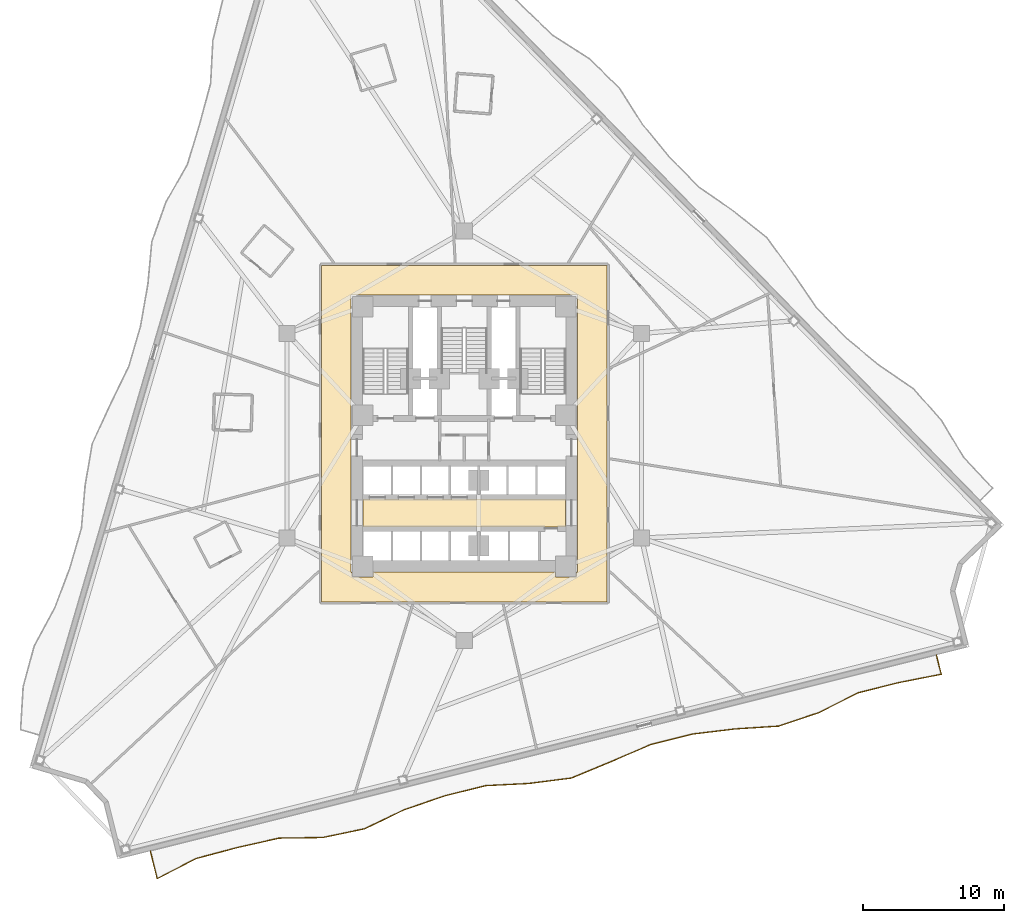
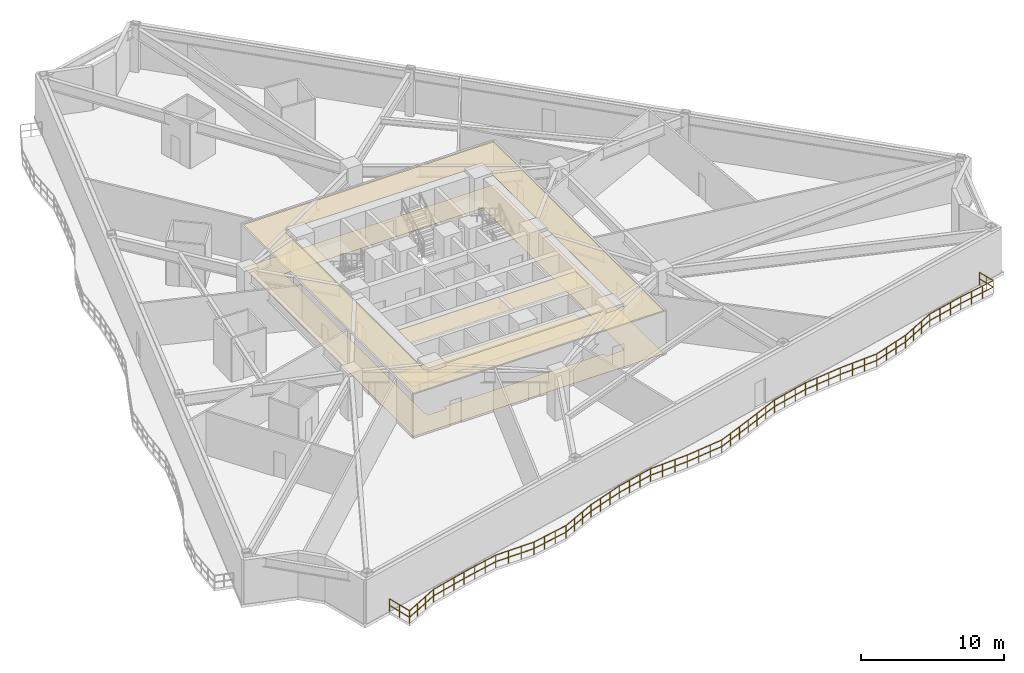
# One storey, part 7 of 10: 4 coverings, 1 railing.
"""IFC4 building model written with IfcOpenShell, lengths in metres."""

from ifc_helpers import new_model, si_unit, direction, frame, origin, origin_2d, place, context, subcontext, project, spatial, polyline, rectangle, outline, extrude, material, layer, layer_set, type_object, element, save


model = new_model("IFC4")

# Units and contexts
model_context = context("Model", 3, precision=1e-05, world=origin(), true_north=direction((0.0, 1.0)))
body_context = subcontext(model_context, "Body", "Model", "MODEL_VIEW")
ifc_project = project(units=[si_unit("LENGTHUNIT", "METRE"), si_unit("AREAUNIT", "SQUARE_METRE"), si_unit("VOLUMEUNIT", "CUBIC_METRE"), si_unit("PLANEANGLEUNIT", "RADIAN"), si_unit("MASSUNIT", "GRAM", prefix="KILO")], contexts=[model_context])

# Site, building, storey
site_placement = place(None, origin())
site = spatial("IfcSite", under=ifc_project, at=site_placement, CompositionType="ELEMENT")
building_placement = place(site_placement, origin())
building = spatial("IfcBuilding", under=site, at=building_placement, Name="Apsidion Concourse Tower", CompositionType="ELEMENT")
storey_placement = place(building_placement, frame((0.0, 0.0, 107.0)))
storey = spatial("IfcBuildingStorey", under=building, at=storey_placement, Name="L24", CompositionType="ELEMENT", Elevation=107.0)

# Coverings
ifc_material_1 = material(Name="Acoustic mineral fibre ceiling")
ifc_layer_1 = layer(ifc_material_1, 0.0400390625)
ifc_layer_set_1 = layer_set([ifc_layer_1], Name="Acoustic mineral fibre ceiling")
covering_type_1 = type_object("IfcCoveringType", Name="COV-CEIL-40", PredefinedType="CEILING", material=ifc_layer_set_1)
covering_1_placement = place(storey_placement, frame((0.0, 0.0, 3.64990234375)))
element("IfcCovering", 1, at=covering_1_placement, inside=storey, type_object=covering_type_1, Name="L24 Acoustic Ceiling Grid 1", PredefinedType="CEILING", context=body_context, shape_type="SweptSolid", body=[
    extrude(outline(polyline([(-7.179931640625, -6.449951171875), (-7.179931640625, -4.47998046875), (7.179931640625, -4.47998046875), (7.179931640625, -6.449951171875), (-7.179931640625, -6.449951171875)])), origin(), (0.0, 0.0, 1.0), 0.0400390625),
])
covering_2_placement = place(storey_placement, frame((0.0, 0.0, 3.64990234375)))
element("IfcCovering", 2, at=covering_2_placement, inside=storey, type_object=covering_type_1, Name="L24 Acoustic Ceiling Grid 2", PredefinedType="CEILING", context=body_context, shape_type="SweptSolid", body=[
    extrude(outline(polyline([(10.1201171875, 12.070068359375), (10.1201171875, -11.77001953125), (-10.1201171875, -11.77001953125), (-10.1201171875, 12.070068359375), (10.1201171875, 12.070068359375)]), holes=[polyline([(-8.02001953125, -9.669921875), (-7.945068359375, -9.669921875), (-7.945068359375, -9.97509765625), (-7.94482421875, -9.97705078125), (-7.944580078125, -9.97900390625), (-7.944091796875, -9.980712890625), (-7.943603515625, -9.982666015625), (-7.942626953125, -9.984375), (-7.941650390625, -9.986083984375), (-7.9404296875, -9.98779296875), (-7.939208984375, -9.989013671875), (-7.937744140625, -9.990478515625), (-7.93603515625, -9.99169921875), (-7.934326171875, -9.99267578125), (-7.9326171875, -9.993408203125), (-7.930908203125, -9.994140625), (-7.928955078125, -9.99462890625), (-7.927001953125, -9.994873046875), (-7.925048828125, -9.9951171875), (-6.47509765625, -9.9951171875), (-6.472900390625, -9.994873046875), (-6.47119140625, -9.99462890625), (-6.46923828125, -9.994140625), (-6.46728515625, -9.993408203125), (-6.465576171875, -9.99267578125), (-6.4638671875, -9.99169921875), (-6.46240234375, -9.990478515625), (-6.4609375, -9.989013671875), (-6.45947265625, -9.98779296875), (-6.45849609375, -9.986083984375), (-6.45751953125, -9.984375), (-6.45654296875, -9.982666015625), (-6.455810546875, -9.980712890625), (-6.455322265625, -9.97900390625), (-6.455078125, -9.97705078125), (-6.455078125, -9.97509765625), (-6.455078125, -9.669921875), (6.455078125, -9.669921875), (6.455078125, -9.97509765625), (6.455078125, -9.97705078125), (6.455322265625, -9.97900390625), (6.455810546875, -9.980712890625), (6.45654296875, -9.982666015625), (6.45751953125, -9.984375), (6.45849609375, -9.986083984375), (6.45947265625, -9.98779296875), (6.4609375, -9.989013671875), (6.46240234375, -9.990478515625), (6.4638671875, -9.99169921875), (6.465576171875, -9.99267578125), (6.46728515625, -9.993408203125), (6.46923828125, -9.994140625), (6.47119140625, -9.99462890625), (6.472900390625, -9.994873046875), (6.47509765625, -9.9951171875), (7.925048828125, -9.9951171875), (7.927001953125, -9.994873046875), (7.928955078125, -9.99462890625), (7.930908203125, -9.994140625), (7.9326171875, -9.993408203125), (7.934326171875, -9.99267578125), (7.93603515625, -9.99169921875), (7.937744140625, -9.990478515625), (7.939208984375, -9.989013671875), (7.9404296875, -9.98779296875), (7.941650390625, -9.986083984375), (7.942626953125, -9.984375), (7.943603515625, -9.982666015625), (7.944091796875, -9.980712890625), (7.944580078125, -9.97900390625), (7.94482421875, -9.97705078125), (7.945068359375, -9.97509765625), (7.945068359375, -9.669921875), (8.02001953125, -9.669921875), (8.02001953125, 9.969970703125), (-8.02001953125, 9.969970703125), (-8.02001953125, -9.669921875)])]), origin(), (0.0, 0.0, 1.0), 0.0400390625),
])
ifc_material_2 = material(Name="Honed travertine floor finish", Category="masonry")
ifc_layer_2 = layer(ifc_material_2, 0.02001953125)
ifc_layer_set_2 = layer_set([ifc_layer_2], Name="Honed travertine floor finish")
covering_type_2 = type_object("IfcCoveringType", Name="COV-FLOR-20", PredefinedType="FLOORING", material=ifc_layer_set_2)
covering_3_placement = place(storey_placement, origin())
element("IfcCovering", 3, at=covering_3_placement, inside=storey, type_object=covering_type_2, Name="L24 Honed Travertine Floor Finish 1", PredefinedType="FLOORING", context=body_context, shape_type="SweptSolid", body=[
    extrude(outline(polyline([(-7.179931640625, -6.449951171875), (-7.179931640625, -4.47998046875), (7.179931640625, -4.47998046875), (7.179931640625, -6.449951171875), (-7.179931640625, -6.449951171875)])), origin(), (0.0, 0.0, 1.0), 0.02001953125),
])
covering_4_placement = place(storey_placement, origin())
element("IfcCovering", 4, at=covering_4_placement, inside=storey, type_object=covering_type_2, Name="L24 Honed Travertine Floor Finish 2", PredefinedType="FLOORING", context=body_context, shape_type="SweptSolid", body=[
    extrude(outline(polyline([(10.1201171875, 12.070068359375), (10.1201171875, -11.77001953125), (-10.1201171875, -11.77001953125), (-10.1201171875, 12.070068359375), (10.1201171875, 12.070068359375)]), holes=[polyline([(-8.02001953125, -9.669921875), (-7.945068359375, -9.669921875), (-7.945068359375, -9.97509765625), (-7.94482421875, -9.97705078125), (-7.944580078125, -9.97900390625), (-7.944091796875, -9.980712890625), (-7.943603515625, -9.982666015625), (-7.942626953125, -9.984375), (-7.941650390625, -9.986083984375), (-7.9404296875, -9.98779296875), (-7.939208984375, -9.989013671875), (-7.937744140625, -9.990478515625), (-7.93603515625, -9.99169921875), (-7.934326171875, -9.99267578125), (-7.9326171875, -9.993408203125), (-7.930908203125, -9.994140625), (-7.928955078125, -9.99462890625), (-7.927001953125, -9.994873046875), (-7.925048828125, -9.9951171875), (-6.47509765625, -9.9951171875), (-6.472900390625, -9.994873046875), (-6.47119140625, -9.99462890625), (-6.46923828125, -9.994140625), (-6.46728515625, -9.993408203125), (-6.465576171875, -9.99267578125), (-6.4638671875, -9.99169921875), (-6.46240234375, -9.990478515625), (-6.4609375, -9.989013671875), (-6.45947265625, -9.98779296875), (-6.45849609375, -9.986083984375), (-6.45751953125, -9.984375), (-6.45654296875, -9.982666015625), (-6.455810546875, -9.980712890625), (-6.455322265625, -9.97900390625), (-6.455078125, -9.97705078125), (-6.455078125, -9.97509765625), (-6.455078125, -9.669921875), (6.455078125, -9.669921875), (6.455078125, -9.97509765625), (6.455078125, -9.97705078125), (6.455322265625, -9.97900390625), (6.455810546875, -9.980712890625), (6.45654296875, -9.982666015625), (6.45751953125, -9.984375), (6.45849609375, -9.986083984375), (6.45947265625, -9.98779296875), (6.4609375, -9.989013671875), (6.46240234375, -9.990478515625), (6.4638671875, -9.99169921875), (6.465576171875, -9.99267578125), (6.46728515625, -9.993408203125), (6.46923828125, -9.994140625), (6.47119140625, -9.99462890625), (6.472900390625, -9.994873046875), (6.47509765625, -9.9951171875), (7.925048828125, -9.9951171875), (7.927001953125, -9.994873046875), (7.928955078125, -9.99462890625), (7.930908203125, -9.994140625), (7.9326171875, -9.993408203125), (7.934326171875, -9.99267578125), (7.93603515625, -9.99169921875), (7.937744140625, -9.990478515625), (7.939208984375, -9.989013671875), (7.9404296875, -9.98779296875), (7.941650390625, -9.986083984375), (7.942626953125, -9.984375), (7.943603515625, -9.982666015625), (7.944091796875, -9.980712890625), (7.944580078125, -9.97900390625), (7.94482421875, -9.97705078125), (7.945068359375, -9.97509765625), (7.945068359375, -9.669921875), (8.02001953125, -9.669921875), (8.02001953125, 9.969970703125), (-8.02001953125, 9.969970703125), (-8.02001953125, -9.669921875)])]), origin(), (0.0, 0.0, 1.0), 0.02001953125),
])

# Railing
ifc_material_3 = material(Name="Brushed stainless steel 316", Category="steel")
railing_type = type_object("IfcRailingType", Name="RL-BAL-1120", PredefinedType="BALUSTRADE", material=ifc_material_3)
railing_placement = place(storey_placement, frame((33.4599609375, -15.544677734375, 0.0)))
element("IfcRailing", 5, at=railing_placement, inside=storey, type_object=railing_type, Name="L24 Face 2 Rippling Balcony Balustrade", PredefinedType="BALUSTRADE", context=body_context, shape_type="SweptSolid", body=[
    extrude(rectangle(XDim=0.048095703125, YDim=0.048095703125, at=origin_2d()), frame((0.0, 0.0, 1.09619140625), z_axis=(0.241920420099, -0.970296094158, 0.0), x_axis=(0.970296094158, 0.241920420099, 0.0)), (0.0, 0.0, 1.0), 1.400634765625),
    extrude(rectangle(XDim=0.048095703125, YDim=0.048095703125, at=origin_2d()), frame((0.0, 0.0, 0.5361328125), z_axis=(0.241920420099, -0.970296094158, 0.0), x_axis=(0.970296094158, 0.241920420099, 0.0)), (0.0, 0.0, 1.0), 1.400634765625),
    extrude(rectangle(XDim=0.048095703125, YDim=0.048095703125, at=origin_2d()), frame((0.3388671875, -1.359130859375, 1.09619140625), z_axis=(-0.981147577563, -0.193260008904, 0.0), x_axis=(0.193260008904, -0.981147577563, 0.0)), (0.0, 0.0, 1.0), 3.025634765625),
    extrude(rectangle(XDim=0.048095703125, YDim=0.048095703125, at=origin_2d()), frame((0.3388671875, -1.359130859375, 0.5361328125), z_axis=(-0.981147577563, -0.193260008904, 0.0), x_axis=(0.193260008904, -0.981147577563, 0.0)), (0.0, 0.0, 1.0), 3.025634765625),
    extrude(rectangle(XDim=0.048095703125, YDim=0.048095703125, at=origin_2d()), frame((-2.629638671875, -1.94384765625, 1.09619140625), z_axis=(-0.970294411014, -0.241927170767, 0.0), x_axis=(0.241927170767, -0.970294411014, 0.0)), (0.0, 0.0, 1.0), 3.021484375),
    extrude(rectangle(XDim=0.048095703125, YDim=0.048095703125, at=origin_2d()), frame((-2.629638671875, -1.94384765625, 0.5361328125), z_axis=(-0.970294411014, -0.241927170767, 0.0), x_axis=(0.241927170767, -0.970294411014, 0.0)), (0.0, 0.0, 1.0), 3.021484375),
    extrude(rectangle(XDim=0.048095703125, YDim=0.048095703125, at=origin_2d()), frame((-5.561279296875, -2.6748046875, 1.09619140625), z_axis=(-0.891637913198, -0.452749192985, 0.0), x_axis=(0.452749192985, -0.891637913198, 0.0)), (0.0, 0.0, 1.0), 3.10009765625),
    extrude(rectangle(XDim=0.048095703125, YDim=0.048095703125, at=origin_2d()), frame((-5.561279296875, -2.6748046875, 0.5361328125), z_axis=(-0.891637913198, -0.452749192985, 0.0), x_axis=(0.452749192985, -0.891637913198, 0.0)), (0.0, 0.0, 1.0), 3.10009765625),
    extrude(rectangle(XDim=0.048095703125, YDim=0.048095703125, at=origin_2d()), frame((-8.325439453125, -4.078369140625, 1.09619140625), z_axis=(-0.948707460015, -0.316155270891, 0.0), x_axis=(0.316155270891, -0.948707460015, 0.0)), (0.0, 0.0, 1.0), 3.031005859375),
    extrude(rectangle(XDim=0.048095703125, YDim=0.048095703125, at=origin_2d()), frame((-8.325439453125, -4.078369140625, 0.5361328125), z_axis=(-0.948707460015, -0.316155270891, 0.0), x_axis=(0.316155270891, -0.948707460015, 0.0)), (0.0, 0.0, 1.0), 3.031005859375),
    extrude(rectangle(XDim=0.048095703125, YDim=0.048095703125, at=origin_2d()), frame((-11.200927734375, -5.03662109375, 1.09619140625), z_axis=(-0.997940274151, -0.064149896546, 0.0), x_axis=(0.064149896546, -0.997940274151, 0.0)), (0.0, 0.0, 1.0), 3.0712890625),
    extrude(rectangle(XDim=0.048095703125, YDim=0.048095703125, at=origin_2d()), frame((-11.200927734375, -5.03662109375, 0.5361328125), z_axis=(-0.997940274151, -0.064149896546, 0.0), x_axis=(0.064149896546, -0.997940274151, 0.0)), (0.0, 0.0, 1.0), 3.0712890625),
    extrude(rectangle(XDim=0.048095703125, YDim=0.048095703125, at=origin_2d()), frame((-14.265869140625, -5.233642578125, 1.09619140625), z_axis=(-0.992789691675, -0.11986921249, 0.0), x_axis=(0.11986921249, -0.992789691675, 0.0)), (0.0, 0.0, 1.0), 3.044921875),
    extrude(rectangle(XDim=0.048095703125, YDim=0.048095703125, at=origin_2d()), frame((-14.265869140625, -5.233642578125, 0.5361328125), z_axis=(-0.992789691675, -0.11986921249, 0.0), x_axis=(0.11986921249, -0.992789691675, 0.0)), (0.0, 0.0, 1.0), 3.044921875),
    extrude(rectangle(XDim=0.048095703125, YDim=0.048095703125, at=origin_2d()), frame((-17.288818359375, -5.5986328125, 1.09619140625), z_axis=(-0.970280172108, -0.241984271418, 0.0), x_axis=(0.241984271418, -0.970280172108, 0.0)), (0.0, 0.0, 1.0), 3.021728515625),
    extrude(rectangle(XDim=0.048095703125, YDim=0.048095703125, at=origin_2d()), frame((-17.288818359375, -5.5986328125, 0.5361328125), z_axis=(-0.970280172108, -0.241984271418, 0.0), x_axis=(0.241984271418, -0.970280172108, 0.0)), (0.0, 0.0, 1.0), 3.021728515625),
    extrude(rectangle(XDim=0.048095703125, YDim=0.048095703125, at=origin_2d()), frame((-20.220703125, -6.329833984375, 1.09619140625), z_axis=(-0.918856040467, -0.394592925554, 0.0), x_axis=(0.394592925554, -0.918856040467, 0.0)), (0.0, 0.0, 1.0), 3.0615234375),
    extrude(rectangle(XDim=0.048095703125, YDim=0.048095703125, at=origin_2d()), frame((-20.220703125, -6.329833984375, 0.5361328125), z_axis=(-0.918856040467, -0.394592925554, 0.0), x_axis=(0.394592925554, -0.918856040467, 0.0)), (0.0, 0.0, 1.0), 3.0615234375),
    extrude(rectangle(XDim=0.048095703125, YDim=0.048095703125, at=origin_2d()), frame((-23.03369140625, -7.537841796875, 1.09619140625), z_axis=(-0.923343804284, -0.383974242744, 0.0), x_axis=(0.383974242744, -0.923343804284, 0.0)), (0.0, 0.0, 1.0), 3.0556640625),
    extrude(rectangle(XDim=0.048095703125, YDim=0.048095703125, at=origin_2d()), frame((-23.03369140625, -7.537841796875, 0.5361328125), z_axis=(-0.923343804284, -0.383974242744, 0.0), x_axis=(0.383974242744, -0.923343804284, 0.0)), (0.0, 0.0, 1.0), 3.0556640625),
    extrude(rectangle(XDim=0.048095703125, YDim=0.048095703125, at=origin_2d()), frame((-25.855224609375, -8.711181640625, 1.09619140625), z_axis=(-0.991846067523, -0.127441666415, 0.0), x_axis=(0.127441666415, -0.991846067523, 0.0)), (0.0, 0.0, 1.0), 3.042236328125),
    extrude(rectangle(XDim=0.048095703125, YDim=0.048095703125, at=origin_2d()), frame((-25.855224609375, -8.711181640625, 0.5361328125), z_axis=(-0.991846067523, -0.127441666415, 0.0), x_axis=(0.127441666415, -0.991846067523, 0.0)), (0.0, 0.0, 1.0), 3.042236328125),
    extrude(rectangle(XDim=0.048095703125, YDim=0.048095703125, at=origin_2d()), frame((-28.87255859375, -9.098876953125, 1.09619140625), z_axis=(-0.998736074922, -0.050261840887, 0.0), x_axis=(0.050261840887, -0.998736074922, 0.0)), (0.0, 0.0, 1.0), 3.07958984375),
    extrude(rectangle(XDim=0.048095703125, YDim=0.048095703125, at=origin_2d()), frame((-28.87255859375, -9.098876953125, 0.5361328125), z_axis=(-0.998736074922, -0.050261840887, 0.0), x_axis=(0.050261840887, -0.998736074922, 0.0)), (0.0, 0.0, 1.0), 3.07958984375),
    extrude(rectangle(XDim=0.048095703125, YDim=0.048095703125, at=origin_2d()), frame((-31.9482421875, -9.253662109375, 1.09619140625), z_axis=(-0.970299139815, -0.241908204231, 0.0), x_axis=(0.241908204231, -0.970299139815, 0.0)), (0.0, 0.0, 1.0), 3.021728515625),
    extrude(rectangle(XDim=0.048095703125, YDim=0.048095703125, at=origin_2d()), frame((-31.9482421875, -9.253662109375, 0.5361328125), z_axis=(-0.970299139815, -0.241908204231, 0.0), x_axis=(0.241908204231, -0.970299139815, 0.0)), (0.0, 0.0, 1.0), 3.021728515625),
    extrude(rectangle(XDim=0.048095703125, YDim=0.048095703125, at=origin_2d()), frame((-34.880126953125, -9.984619140625, 1.09619140625), z_axis=(-0.945240326419, -0.326375129737, 0.0), x_axis=(0.326375129737, -0.945240326419, 0.0)), (0.0, 0.0, 1.0), 3.033203125),
    extrude(rectangle(XDim=0.048095703125, YDim=0.048095703125, at=origin_2d()), frame((-34.880126953125, -9.984619140625, 0.5361328125), z_axis=(-0.945240326419, -0.326375129737, 0.0), x_axis=(0.326375129737, -0.945240326419, 0.0)), (0.0, 0.0, 1.0), 3.033203125),
    extrude(rectangle(XDim=0.048095703125, YDim=0.048095703125, at=origin_2d()), frame((-37.747314453125, -10.974609375, 1.09619140625), z_axis=(-0.901497123697, -0.432785092126, 0.0), x_axis=(0.432785092126, -0.901497123697, 0.0)), (0.0, 0.0, 1.0), 3.085205078125),
    extrude(rectangle(XDim=0.048095703125, YDim=0.048095703125, at=origin_2d()), frame((-37.747314453125, -10.974609375, 0.5361328125), z_axis=(-0.901497123697, -0.432785092126, 0.0), x_axis=(0.432785092126, -0.901497123697, 0.0)), (0.0, 0.0, 1.0), 3.085205078125),
    extrude(rectangle(XDim=0.048095703125, YDim=0.048095703125, at=origin_2d()), frame((-40.528564453125, -12.309814453125, 1.09619140625), z_axis=(-0.978764262869, -0.204989067345, 0.0), x_axis=(0.204989067345, -0.978764262869, 0.0)), (0.0, 0.0, 1.0), 3.02392578125),
    extrude(rectangle(XDim=0.048095703125, YDim=0.048095703125, at=origin_2d()), frame((-40.528564453125, -12.309814453125, 0.5361328125), z_axis=(-0.978764262869, -0.204989067345, 0.0), x_axis=(0.204989067345, -0.978764262869, 0.0)), (0.0, 0.0, 1.0), 3.02392578125),
    extrude(rectangle(XDim=0.048095703125, YDim=0.048095703125, at=origin_2d()), frame((-43.48828125, -12.9296875, 1.09619140625), z_axis=(-0.999900859286, -0.014080894801, 0.0), x_axis=(0.014080894801, -0.999900859286, 0.0)), (0.0, 0.0, 1.0), 3.103515625),
    extrude(rectangle(XDim=0.048095703125, YDim=0.048095703125, at=origin_2d()), frame((-43.48828125, -12.9296875, 0.5361328125), z_axis=(-0.999900859286, -0.014080894801, 0.0), x_axis=(0.014080894801, -0.999900859286, 0.0)), (0.0, 0.0, 1.0), 3.103515625),
    extrude(rectangle(XDim=0.048095703125, YDim=0.048095703125, at=origin_2d()), frame((-46.591552734375, -12.973388671875, 1.09619140625), z_axis=(-0.975399555875, -0.220444338549, 0.0), x_axis=(0.220444338549, -0.975399555875, 0.0)), (0.0, 0.0, 1.0), 3.0224609375),
    extrude(rectangle(XDim=0.048095703125, YDim=0.048095703125, at=origin_2d()), frame((-46.591552734375, -12.973388671875, 0.5361328125), z_axis=(-0.975399555875, -0.220444338549, 0.0), x_axis=(0.220444338549, -0.975399555875, 0.0)), (0.0, 0.0, 1.0), 3.0224609375),
    extrude(rectangle(XDim=0.048095703125, YDim=0.048095703125, at=origin_2d()), frame((-49.53955078125, -13.6396484375, 1.09619140625), z_axis=(-0.966478549263, -0.256747373531, 0.0), x_axis=(0.256747373531, -0.966478549263, 0.0)), (0.0, 0.0, 1.0), 3.02197265625),
    extrude(rectangle(XDim=0.048095703125, YDim=0.048095703125, at=origin_2d()), frame((-49.53955078125, -13.6396484375, 0.5361328125), z_axis=(-0.966478549263, -0.256747373531, 0.0), x_axis=(0.256747373531, -0.966478549263, 0.0)), (0.0, 0.0, 1.0), 3.02197265625),
    extrude(rectangle(XDim=0.048095703125, YDim=0.048095703125, at=origin_2d()), frame((-52.460205078125, -14.41552734375, 1.09619140625), z_axis=(-0.888758119217, -0.458376488844, 0.0), x_axis=(0.458376488844, -0.888758119217, 0.0)), (0.0, 0.0, 1.0), 3.104736328125),
    extrude(rectangle(XDim=0.048095703125, YDim=0.048095703125, at=origin_2d()), frame((-52.460205078125, -14.41552734375, 0.5361328125), z_axis=(-0.888758119217, -0.458376488844, 0.0), x_axis=(0.458376488844, -0.888758119217, 0.0)), (0.0, 0.0, 1.0), 3.104736328125),
    extrude(rectangle(XDim=0.048095703125, YDim=0.048095703125, at=origin_2d()), frame((-55.219482421875, -15.838623046875, 1.09619140625), z_axis=(-0.241906632548, 0.970299531655, 0.0), x_axis=(-0.970299531655, -0.241906632548, 0.0)), (0.0, 0.0, 1.0), 2.00927734375),
    extrude(rectangle(XDim=0.048095703125, YDim=0.048095703125, at=origin_2d()), frame((-55.219482421875, -15.838623046875, 0.5361328125), z_axis=(-0.241906632548, 0.970299531655, 0.0), x_axis=(-0.970299531655, -0.241906632548, 0.0)), (0.0, 0.0, 1.0), 2.00927734375),
    extrude(rectangle(XDim=0.0419921875, YDim=0.0419921875, at=origin_2d()), origin(), (0.0, 0.0, 1.0), 1.072021484375),
    extrude(rectangle(XDim=0.0419921875, YDim=0.0419921875, at=origin_2d()), frame((0.16943359375, -0.6796875, 0.0)), (0.0, 0.0, 1.0), 1.072021484375),
    extrude(rectangle(XDim=0.0419921875, YDim=0.0419921875, at=origin_2d()), frame((0.3388671875, -1.359130859375, 0.0)), (0.0, 0.0, 1.0), 1.072021484375),
    extrude(rectangle(XDim=0.0419921875, YDim=0.0419921875, at=origin_2d()), frame((-0.650634765625, -1.553955078125, 0.0)), (0.0, 0.0, 1.0), 1.072021484375),
    extrude(rectangle(XDim=0.0419921875, YDim=0.0419921875, at=origin_2d()), frame((-1.64013671875, -1.7490234375, 0.0)), (0.0, 0.0, 1.0), 1.072021484375),
    extrude(rectangle(XDim=0.0419921875, YDim=0.0419921875, at=origin_2d()), frame((-2.629638671875, -1.94384765625, 0.0)), (0.0, 0.0, 1.0), 1.072021484375),
    extrude(rectangle(XDim=0.0419921875, YDim=0.0419921875, at=origin_2d()), frame((-3.60693359375, -2.1875, 0.0)), (0.0, 0.0, 1.0), 1.072021484375),
    extrude(rectangle(XDim=0.0419921875, YDim=0.0419921875, at=origin_2d()), frame((-4.583984375, -2.43115234375, 0.0)), (0.0, 0.0, 1.0), 1.072021484375),
    extrude(rectangle(XDim=0.0419921875, YDim=0.0419921875, at=origin_2d()), frame((-5.561279296875, -2.6748046875, 0.0)), (0.0, 0.0, 1.0), 1.072021484375),
    extrude(rectangle(XDim=0.0419921875, YDim=0.0419921875, at=origin_2d()), frame((-6.482666015625, -3.142578125, 0.0)), (0.0, 0.0, 1.0), 1.072021484375),
    extrude(rectangle(XDim=0.0419921875, YDim=0.0419921875, at=origin_2d()), frame((-7.404052734375, -3.610595703125, 0.0)), (0.0, 0.0, 1.0), 1.072021484375),
    extrude(rectangle(XDim=0.0419921875, YDim=0.0419921875, at=origin_2d()), frame((-8.325439453125, -4.078369140625, 0.0)), (0.0, 0.0, 1.0), 1.072021484375),
    extrude(rectangle(XDim=0.0419921875, YDim=0.0419921875, at=origin_2d()), frame((-9.283935546875, -4.397705078125, 0.0)), (0.0, 0.0, 1.0), 1.072021484375),
    extrude(rectangle(XDim=0.0419921875, YDim=0.0419921875, at=origin_2d()), frame((-10.242431640625, -4.71728515625, 0.0)), (0.0, 0.0, 1.0), 1.072021484375),
    extrude(rectangle(XDim=0.0419921875, YDim=0.0419921875, at=origin_2d()), frame((-11.200927734375, -5.03662109375, 0.0)), (0.0, 0.0, 1.0), 1.072021484375),
    extrude(rectangle(XDim=0.0419921875, YDim=0.0419921875, at=origin_2d()), frame((-12.22265625, -5.102294921875, 0.0)), (0.0, 0.0, 1.0), 1.072021484375),
    extrude(rectangle(XDim=0.0419921875, YDim=0.0419921875, at=origin_2d()), frame((-13.244140625, -5.16796875, 0.0)), (0.0, 0.0, 1.0), 1.072021484375),
    extrude(rectangle(XDim=0.0419921875, YDim=0.0419921875, at=origin_2d()), frame((-14.265869140625, -5.233642578125, 0.0)), (0.0, 0.0, 1.0), 1.072021484375),
    extrude(rectangle(XDim=0.0419921875, YDim=0.0419921875, at=origin_2d()), frame((-15.2734375, -5.355224609375, 0.0)), (0.0, 0.0, 1.0), 1.072021484375),
    extrude(rectangle(XDim=0.0419921875, YDim=0.0419921875, at=origin_2d()), frame((-16.28125, -5.47705078125, 0.0)), (0.0, 0.0, 1.0), 1.072021484375),
    extrude(rectangle(XDim=0.0419921875, YDim=0.0419921875, at=origin_2d()), frame((-17.288818359375, -5.5986328125, 0.0)), (0.0, 0.0, 1.0), 1.072021484375),
    extrude(rectangle(XDim=0.0419921875, YDim=0.0419921875, at=origin_2d()), frame((-18.26611328125, -5.84228515625, 0.0)), (0.0, 0.0, 1.0), 1.072021484375),
    extrude(rectangle(XDim=0.0419921875, YDim=0.0419921875, at=origin_2d()), frame((-19.243408203125, -6.086181640625, 0.0)), (0.0, 0.0, 1.0), 1.072021484375),
    extrude(rectangle(XDim=0.0419921875, YDim=0.0419921875, at=origin_2d()), frame((-20.220703125, -6.329833984375, 0.0)), (0.0, 0.0, 1.0), 1.072021484375),
    extrude(rectangle(XDim=0.0419921875, YDim=0.0419921875, at=origin_2d()), frame((-21.158447265625, -6.732421875, 0.0)), (0.0, 0.0, 1.0), 1.072021484375),
    extrude(rectangle(XDim=0.0419921875, YDim=0.0419921875, at=origin_2d()), frame((-22.095947265625, -7.13525390625, 0.0)), (0.0, 0.0, 1.0), 1.072021484375),
    extrude(rectangle(XDim=0.0419921875, YDim=0.0419921875, at=origin_2d()), frame((-23.03369140625, -7.537841796875, 0.0)), (0.0, 0.0, 1.0), 1.072021484375),
    extrude(rectangle(XDim=0.0419921875, YDim=0.0419921875, at=origin_2d()), frame((-23.97412109375, -7.928955078125, 0.0)), (0.0, 0.0, 1.0), 1.072021484375),
    extrude(rectangle(XDim=0.0419921875, YDim=0.0419921875, at=origin_2d()), frame((-24.914794921875, -8.320068359375, 0.0)), (0.0, 0.0, 1.0), 1.072021484375),
    extrude(rectangle(XDim=0.0419921875, YDim=0.0419921875, at=origin_2d()), frame((-25.855224609375, -8.711181640625, 0.0)), (0.0, 0.0, 1.0), 1.072021484375),
    extrude(rectangle(XDim=0.0419921875, YDim=0.0419921875, at=origin_2d()), frame((-26.861083984375, -8.84033203125, 0.0)), (0.0, 0.0, 1.0), 1.072021484375),
    extrude(rectangle(XDim=0.0419921875, YDim=0.0419921875, at=origin_2d()), frame((-27.86669921875, -8.9697265625, 0.0)), (0.0, 0.0, 1.0), 1.072021484375),
    extrude(rectangle(XDim=0.0419921875, YDim=0.0419921875, at=origin_2d()), frame((-28.87255859375, -9.098876953125, 0.0)), (0.0, 0.0, 1.0), 1.072021484375),
    extrude(rectangle(XDim=0.0419921875, YDim=0.0419921875, at=origin_2d()), frame((-29.897705078125, -9.150390625, 0.0)), (0.0, 0.0, 1.0), 1.072021484375),
    extrude(rectangle(XDim=0.0419921875, YDim=0.0419921875, at=origin_2d()), frame((-30.923095703125, -9.2021484375, 0.0)), (0.0, 0.0, 1.0), 1.072021484375),
    extrude(rectangle(XDim=0.0419921875, YDim=0.0419921875, at=origin_2d()), frame((-31.9482421875, -9.253662109375, 0.0)), (0.0, 0.0, 1.0), 1.072021484375),
    extrude(rectangle(XDim=0.0419921875, YDim=0.0419921875, at=origin_2d()), frame((-32.925537109375, -9.497314453125, 0.0)), (0.0, 0.0, 1.0), 1.072021484375),
    extrude(rectangle(XDim=0.0419921875, YDim=0.0419921875, at=origin_2d()), frame((-33.90283203125, -9.740966796875, 0.0)), (0.0, 0.0, 1.0), 1.072021484375),
    extrude(rectangle(XDim=0.0419921875, YDim=0.0419921875, at=origin_2d()), frame((-34.880126953125, -9.984619140625, 0.0)), (0.0, 0.0, 1.0), 1.072021484375),
    extrude(rectangle(XDim=0.0419921875, YDim=0.0419921875, at=origin_2d()), frame((-35.8359375, -10.314697265625, 0.0)), (0.0, 0.0, 1.0), 1.072021484375),
    extrude(rectangle(XDim=0.0419921875, YDim=0.0419921875, at=origin_2d()), frame((-36.79150390625, -10.64453125, 0.0)), (0.0, 0.0, 1.0), 1.072021484375),
    extrude(rectangle(XDim=0.0419921875, YDim=0.0419921875, at=origin_2d()), frame((-37.747314453125, -10.974609375, 0.0)), (0.0, 0.0, 1.0), 1.072021484375),
    extrude(rectangle(XDim=0.0419921875, YDim=0.0419921875, at=origin_2d()), frame((-38.67431640625, -11.419677734375, 0.0)), (0.0, 0.0, 1.0), 1.072021484375),
    extrude(rectangle(XDim=0.0419921875, YDim=0.0419921875, at=origin_2d()), frame((-39.6015625, -11.86474609375, 0.0)), (0.0, 0.0, 1.0), 1.072021484375),
    extrude(rectangle(XDim=0.0419921875, YDim=0.0419921875, at=origin_2d()), frame((-40.528564453125, -12.309814453125, 0.0)), (0.0, 0.0, 1.0), 1.072021484375),
    extrude(rectangle(XDim=0.0419921875, YDim=0.0419921875, at=origin_2d()), frame((-41.51513671875, -12.516357421875, 0.0)), (0.0, 0.0, 1.0), 1.072021484375),
    extrude(rectangle(XDim=0.0419921875, YDim=0.0419921875, at=origin_2d()), frame((-42.501708984375, -12.72314453125, 0.0)), (0.0, 0.0, 1.0), 1.072021484375),
    extrude(rectangle(XDim=0.0419921875, YDim=0.0419921875, at=origin_2d()), frame((-43.48828125, -12.9296875, 0.0)), (0.0, 0.0, 1.0), 1.072021484375),
    extrude(rectangle(XDim=0.0419921875, YDim=0.0419921875, at=origin_2d()), frame((-44.522705078125, -12.9443359375, 0.0)), (0.0, 0.0, 1.0), 1.072021484375),
    extrude(rectangle(XDim=0.0419921875, YDim=0.0419921875, at=origin_2d()), frame((-45.55712890625, -12.958740234375, 0.0)), (0.0, 0.0, 1.0), 1.072021484375),
    extrude(rectangle(XDim=0.0419921875, YDim=0.0419921875, at=origin_2d()), frame((-46.591552734375, -12.973388671875, 0.0)), (0.0, 0.0, 1.0), 1.072021484375),
    extrude(rectangle(XDim=0.0419921875, YDim=0.0419921875, at=origin_2d()), frame((-47.57421875, -13.195556640625, 0.0)), (0.0, 0.0, 1.0), 1.072021484375),
    extrude(rectangle(XDim=0.0419921875, YDim=0.0419921875, at=origin_2d()), frame((-48.556884765625, -13.41748046875, 0.0)), (0.0, 0.0, 1.0), 1.072021484375),
    extrude(rectangle(XDim=0.0419921875, YDim=0.0419921875, at=origin_2d()), frame((-49.53955078125, -13.6396484375, 0.0)), (0.0, 0.0, 1.0), 1.072021484375),
    extrude(rectangle(XDim=0.0419921875, YDim=0.0419921875, at=origin_2d()), frame((-50.51318359375, -13.898193359375, 0.0)), (0.0, 0.0, 1.0), 1.072021484375),
    extrude(rectangle(XDim=0.0419921875, YDim=0.0419921875, at=origin_2d()), frame((-51.486572265625, -14.156982421875, 0.0)), (0.0, 0.0, 1.0), 1.072021484375),
    extrude(rectangle(XDim=0.0419921875, YDim=0.0419921875, at=origin_2d()), frame((-52.460205078125, -14.41552734375, 0.0)), (0.0, 0.0, 1.0), 1.072021484375),
    extrude(rectangle(XDim=0.0419921875, YDim=0.0419921875, at=origin_2d()), frame((-53.3798828125, -14.889892578125, 0.0)), (0.0, 0.0, 1.0), 1.072021484375),
    extrude(rectangle(XDim=0.0419921875, YDim=0.0419921875, at=origin_2d()), frame((-54.2998046875, -15.3642578125, 0.0)), (0.0, 0.0, 1.0), 1.072021484375),
    extrude(rectangle(XDim=0.0419921875, YDim=0.0419921875, at=origin_2d()), frame((-55.219482421875, -15.838623046875, 0.0)), (0.0, 0.0, 1.0), 1.072021484375),
    extrude(rectangle(XDim=0.0419921875, YDim=0.0419921875, at=origin_2d()), frame((-55.46240234375, -14.86376953125, 0.0)), (0.0, 0.0, 1.0), 1.072021484375),
    extrude(rectangle(XDim=0.0419921875, YDim=0.0419921875, at=origin_2d()), frame((-55.70556640625, -13.888916015625, 0.0)), (0.0, 0.0, 1.0), 1.072021484375),
])

save(model, "model.ifc")
